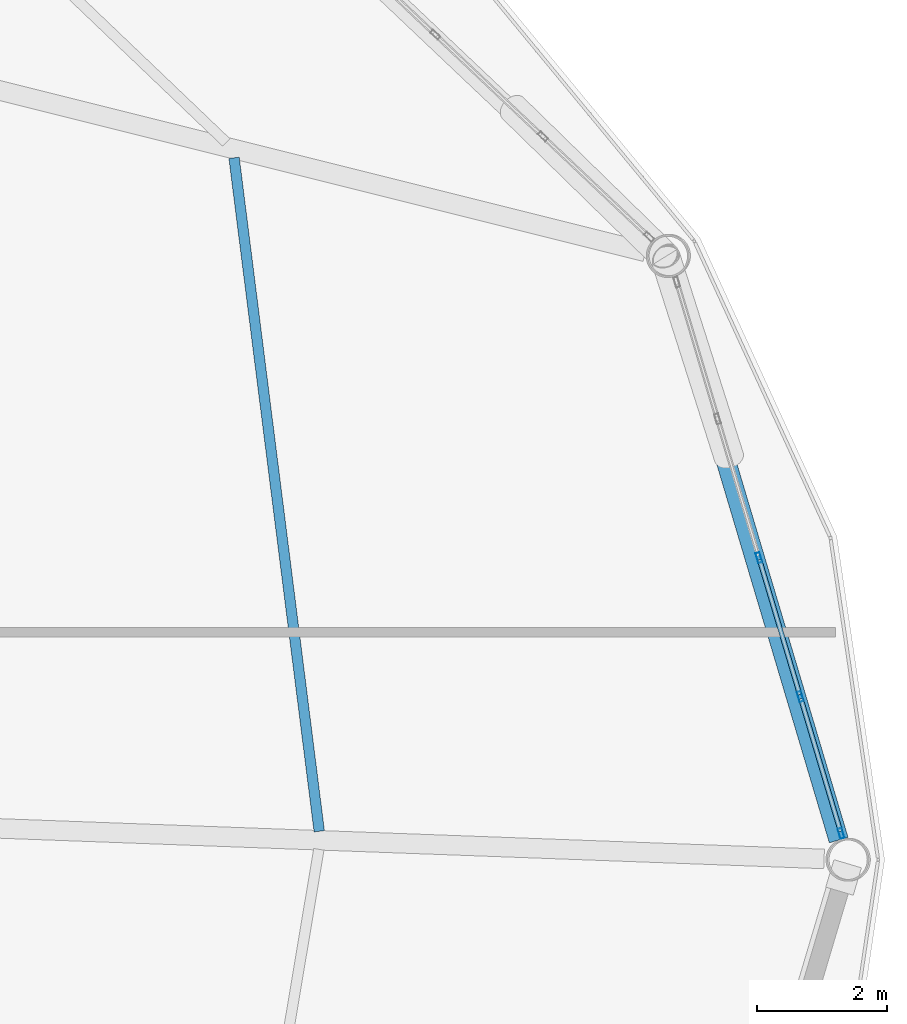
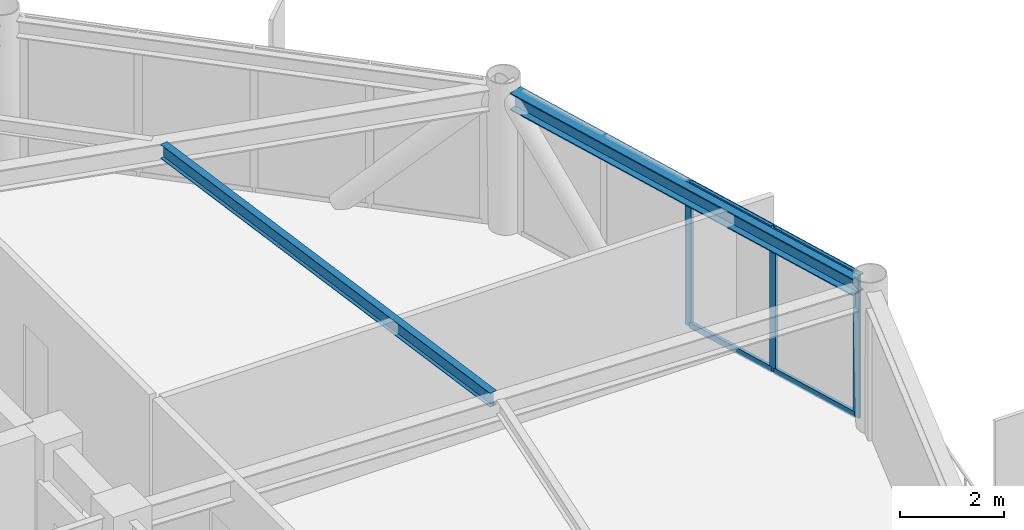
# One storey, part 13 of 25: 7 members, 2 beams, 1 element without a shape of its own.
"""IFC4 building model written with IfcOpenShell, lengths in metres."""

import ifcopenshell
import ifcopenshell.guid

model = None  # the IFC model being written
_history = None  # IfcOwnerHistory: only IFC2X3 demands one
_inside = {}  # id of a spatial element -> (the spatial element, [elements in it])
_under = {}  # id of a project, library or spatial element -> (it, [spatial elements below it])
_declared = {}  # id of a project -> (the project, [libraries it declares])
_typed = {}  # id of a type object -> (the type object, [elements of that type])
_made_of = {}  # id of a material, layer set ... -> (it, [elements and type objects made of it])


def new_model(schema):
    """Start an empty IFC model of exactly this schema.

    Asked for "IFC4X3", IfcOpenShell would pick the latest addendum, in which some entities
    have other attributes; the version numbers below select the first issue.
    IFC2X3 requires an IfcOwnerHistory on every rooted entity: one is made here for all.
    """
    global model, _history
    if schema == "IFC4X3":
        model = ifcopenshell.file(schema_version=(4, 3, 0, 0))
    else:
        model = ifcopenshell.file(schema=schema)
    _inside.clear()
    _under.clear()
    _declared.clear()
    _typed.clear()
    _made_of.clear()
    _history = None
    if model.schema == "IFC2X3":
        org = make("IfcOrganization", Name="unknown")
        user = make(
            "IfcPersonAndOrganization",
            ThePerson=make("IfcPerson", FamilyName="unknown"),
            TheOrganization=org,
        )
        app = make(
            "IfcApplication",
            ApplicationDeveloper=org,
            Version="unknown",
            ApplicationFullName="unknown",
            ApplicationIdentifier="unknown",
        )
        _history = make(
            "IfcOwnerHistory",
            OwningUser=user,
            OwningApplication=app,
            ChangeAction="ADDED",
            CreationDate=0,
        )
    return model


def make(cls, **values):
    """One entity of the class cls with the attributes given. An attribute that is None is left unset."""
    return model.create_entity(
        cls, **{name: value for name, value in values.items() if value is not None}
    )


def rooted(cls, **values):
    """An entity with a GlobalId (a new one), such as an element, a storey or a relation."""
    return make(cls, GlobalId=ifcopenshell.guid.new(), OwnerHistory=_history, **values)


def si_unit(unit_type, name, prefix=None):
    """IfcSIUnit, for example si_unit("LENGTHUNIT", "METRE", prefix="MILLI")."""
    return make("IfcSIUnit", UnitType=unit_type, Prefix=prefix, Name=name)


def assignment(units):
    """IfcUnitAssignment: the units of a project."""
    return None if units is None else make("IfcUnitAssignment", Units=units)


def point(xyz):
    """IfcCartesianPoint."""
    return None if xyz is None else make("IfcCartesianPoint", Coordinates=xyz)


def direction(xyz):
    """IfcDirection."""
    return None if xyz is None else make("IfcDirection", DirectionRatios=xyz)


def frame(location, z_axis=None, x_axis=None):
    """IfcAxis2Placement3D, a coordinate frame: its origin and axes. An axis left out is left unset."""
    return make(
        "IfcAxis2Placement3D",
        Location=point(location),
        Axis=direction(z_axis),
        RefDirection=direction(x_axis),
    )


def frame_2d(location, x_axis=None):
    """IfcAxis2Placement2D, a coordinate frame in the plane: its origin and x axis."""
    return make(
        "IfcAxis2Placement2D", Location=point(location), RefDirection=direction(x_axis)
    )


def origin():
    """The frame at (0, 0, 0) with its axes left unset."""
    return frame((0.0, 0.0, 0.0))


def origin_2d():
    """The frame at (0, 0) in the plane with its x axis left unset."""
    return frame_2d((0.0, 0.0))


def place(relative_to, where):
    """IfcLocalPlacement: puts the frame where relative to a parent placement (None: the world)."""
    return make(
        "IfcLocalPlacement", PlacementRelTo=relative_to, RelativePlacement=where
    )


def context(
    kind, dimensions, precision=None, world=None, true_north=None, identifier=None
):
    """IfcGeometricRepresentationContext, for example the 3D "Model" context."""
    return make(
        "IfcGeometricRepresentationContext",
        ContextIdentifier=identifier,
        ContextType=kind,
        CoordinateSpaceDimension=dimensions,
        Precision=precision,
        WorldCoordinateSystem=world,
        TrueNorth=true_north,
    )


def subcontext(parent, identifier, kind, view, scale=None):
    """IfcGeometricRepresentationSubContext, for example "Body" below "Model"."""
    return make(
        "IfcGeometricRepresentationSubContext",
        ContextIdentifier=identifier,
        ContextType=kind,
        ParentContext=parent,
        TargetScale=scale,
        TargetView=view,
    )


def project(units=None, contexts=None):
    """IfcProject with its units and contexts."""
    return rooted(
        "IfcProject",
        Name="project",
        RepresentationContexts=contexts,
        UnitsInContext=assignment(units),
    )


def spatial(cls, under=None, at=None, **own):
    """A site, building, storey or space (cls), placed at a placement, below another one or the project."""
    s = rooted(cls, ObjectPlacement=at, **own)
    if under is not None:
        _under.setdefault(under.id(), (under, []))[1].append(s)
    return s


def profile(cls, at=None, kind="AREA", **sizes):
    """A parametric profile (cls). Its sizes go by their IFC names, for example OverallWidth=200.0."""
    return make(cls, ProfileType=kind, Position=at, **sizes)


def hollow_rectangle(**sizes):
    """IfcRectangleHollowProfileDef."""
    return profile("IfcRectangleHollowProfileDef", **sizes)


def i_section(**sizes):
    """IfcIShapeProfileDef."""
    return profile("IfcIShapeProfileDef", **sizes)


def extrude(swept, where, along, depth):
    """IfcExtrudedAreaSolid: the profile swept, set in the frame where, extruded along a direction by depth."""
    return make(
        "IfcExtrudedAreaSolid",
        SweptArea=swept,
        Position=where,
        ExtrudedDirection=direction(along),
        Depth=depth,
    )


def shape(context_of_items, identifier, shape_type, items):
    """IfcShapeRepresentation: the items that make up one representation, for example the "Body"."""
    return make(
        "IfcShapeRepresentation",
        ContextOfItems=context_of_items,
        RepresentationIdentifier=identifier,
        RepresentationType=shape_type,
        Items=items,
    )


def material(Name=None, Category=None):
    """IfcMaterial."""
    return make("IfcMaterial", Name=Name, Category=Category)


def layer(
    of_material, thickness, ventilated=None, Name=None, Category=None, Priority=None
):
    """IfcMaterialLayer: one layer of a wall or slab, of a material (None: an air gap)."""
    return make(
        "IfcMaterialLayer",
        Material=of_material,
        LayerThickness=thickness,
        IsVentilated=ventilated,
        Name=Name,
        Category=Category,
        Priority=Priority,
    )


def layer_set(layers, Name=None):
    """IfcMaterialLayerSet."""
    return make("IfcMaterialLayerSet", MaterialLayers=layers, LayerSetName=Name)


def material_profile(
    of_material, cross_section, Name=None, Category=None, Priority=None
):
    """IfcMaterialProfile: a cross section and its material."""
    return make(
        "IfcMaterialProfile",
        Name=Name,
        Material=of_material,
        Profile=cross_section,
        Priority=Priority,
        Category=Category,
    )


def profile_set(profiles, Name=None, composite=None):
    """IfcMaterialProfileSet."""
    return make(
        "IfcMaterialProfileSet",
        Name=Name,
        MaterialProfiles=profiles,
        CompositeProfile=composite,
    )


def made_of(thing, what):
    """Note that an element or type object is made of a material, layer set ...; save() writes the relation."""
    if what is not None:
        _made_of.setdefault(what.id(), (what, []))[1].append(thing)
    return thing


def type_object(cls, material=None, **own):
    """A type object (cls), such as IfcWallType, which elements share."""
    return made_of(rooted(cls, **own), material)


def element(
    cls,
    number,
    at=None,
    inside=None,
    cuts=None,
    type_object=None,
    material=None,
    context=None,
    identifier="Body",
    shape_type=None,
    held_by="IfcProductDefinitionShape",
    body=None,
    shapes=None,
    **own,
):
    """One element of the class cls, such as IfcWall. Its Tag is "e" and its number.

    at: its placement. inside: the storey or other place that contains it. cuts: it is an
    opening in that element (IfcRelVoidsElement). A single representation is given by context,
    identifier, shape_type and body (its items); several are given by shapes. held_by: the class
    of the entity that holds the representations. save() writes the other relations.
    """
    e = rooted(cls, Tag="e%d" % number, ObjectPlacement=at, **own)
    if body is not None:
        shapes = [shape(context, identifier, shape_type, body)]
    if shapes is not None:
        e.Representation = make(held_by, Representations=shapes)
    if inside is not None:
        _inside.setdefault(inside.id(), (inside, []))[1].append(e)
    if cuts is not None:
        rooted(
            "IfcRelVoidsElement", RelatingBuildingElement=cuts, RelatedOpeningElement=e
        )
    if type_object is not None:
        _typed.setdefault(type_object.id(), (type_object, []))[1].append(e)
    return made_of(e, material)


def aggregate(whole, parts):
    """IfcRelAggregates: a whole, such as a stair, and the parts it consists of."""
    return rooted("IfcRelAggregates", RelatingObject=whole, RelatedObjects=parts)


def save(model, path):
    """Write the relations noted so far, then the file.

    IfcRelAggregates (storeys below a building ...), IfcRelContainedInSpatialStructure (elements
    in a storey), IfcRelDefinesByType, IfcRelAssociatesMaterial and IfcRelDeclares: one each for
    every whole, place, type object, material and project.
    """
    for whole, parts in _under.values():
        aggregate(whole, parts)
    for where, things in _inside.values():
        rooted(
            "IfcRelContainedInSpatialStructure",
            RelatedElements=things,
            RelatingStructure=where,
        )
    for kind, things in _typed.values():
        rooted("IfcRelDefinesByType", RelatedObjects=things, RelatingType=kind)
    for what, things in _made_of.values():
        rooted("IfcRelAssociatesMaterial", RelatedObjects=things, RelatingMaterial=what)
    for by, libraries in _declared.values():
        rooted("IfcRelDeclares", RelatingContext=by, RelatedDefinitions=libraries)
    model.write(path)


model = new_model("IFC4")

# Units and contexts
model_context = context("Model", 3, precision=1e-05, world=origin(), true_north=direction((0.0, 1.0)))
body_context = subcontext(model_context, "Body", "Model", "MODEL_VIEW")
ifc_project = project(units=[si_unit("LENGTHUNIT", "METRE"), si_unit("AREAUNIT", "SQUARE_METRE"), si_unit("VOLUMEUNIT", "CUBIC_METRE"), si_unit("PLANEANGLEUNIT", "RADIAN"), si_unit("MASSUNIT", "GRAM", prefix="KILO")], contexts=[model_context])

# Site, building, storey
site_placement = place(None, origin())
site = spatial("IfcSite", under=ifc_project, at=site_placement, CompositionType="ELEMENT")
building_placement = place(site_placement, origin())
building = spatial("IfcBuilding", under=site, at=building_placement, Name="Varnakorn Sky Granary", CompositionType="ELEMENT")
storey_placement = place(building_placement, frame((0.0, 0.0, 178.800048828125)))
storey = spatial("IfcBuildingStorey", under=building, at=storey_placement, Name="L44", CompositionType="ELEMENT", Elevation=178.800048828125)

# Beams
ifc_material_1 = material(Name="Steel S355JR", Category="steel")
ifc_material_profile_1 = material_profile(ifc_material_1, i_section(OverallWidth=0.159912109375, OverallDepth=0.330078125, WebThickness=0.007568359375, FlangeThickness=0.011474609375, at=origin_2d()), Name="IPE 330")
ifc_profile_set_1 = profile_set([ifc_material_profile_1], Name="Steel S355JR")
beam_type_1 = type_object("IfcBeamType", Name="BM-SEC-Z4", PredefinedType="BEAM", material=ifc_profile_set_1)
beam_1_placement = place(storey_placement, frame((16.48486328125, 0.437255859375, 3.195068359375), z_axis=(-0.12547911195, 0.992096261692, 0.0), x_axis=(-0.992096261692, -0.12547911195, 0.0)))
element("IfcBeam", 1, at=beam_1_placement, inside=storey, type_object=beam_type_1, Name="Secondary Floor Chord Beam MSB01 L44", PredefinedType="BEAM", context=body_context, shape_type="SweptSolid", body=[
    extrude(i_section(OverallWidth=0.159912109375, OverallDepth=0.330078125, WebThickness=0.007568359375, FlangeThickness=0.011474609375, at=origin_2d()), origin(), (0.0, 0.0, 1.0), 10.4423828125),
])
ifc_material_profile_2 = material_profile(ifc_material_1, i_section(OverallWidth=0.300048828125, OverallDepth=0.39990234375, WebThickness=0.013427734375, FlangeThickness=0.02392578125, at=origin_2d()), Name="HE 400 B")
ifc_profile_set_2 = profile_set([ifc_material_profile_2], Name="Steel S355JR")
beam_type_2 = type_object("IfcBeamType", Name="BM-SPD-Z4", PredefinedType="SPANDREL", material=ifc_profile_set_2)
beam_2_placement = place(storey_placement, frame((24.47509765625, 0.302001953125, 3.159912109375), z_axis=(-0.28508622157, 0.958501875987, 0.0), x_axis=(-0.958501875987, -0.28508622157, 0.0)))
element("IfcBeam", 2, at=beam_2_placement, inside=storey, type_object=beam_type_2, Name="Perimeter Spandrel Ring Beam RB01 L44", PredefinedType="SPANDREL", context=body_context, shape_type="SweptSolid", body=[
    extrude(i_section(OverallWidth=0.300048828125, OverallDepth=0.39990234375, WebThickness=0.013427734375, FlangeThickness=0.02392578125, at=origin_2d()), origin(), (0.0, 0.0, 1.0), 9.044921875),
])

# Curtain wall, members
ifc_material_2 = material(Name="Anodised Bronze Aluminium Alloy 6063-T6", Category="aluminium")
ifc_layer = layer(ifc_material_2, 0.169921875, Name="Anodised Bronze Aluminium Alloy 6063-T6")
ifc_layer_set = layer_set([ifc_layer], Name="Anodised Bronze Aluminium Alloy 6063-T6")
curtain_wall_type = type_object("IfcCurtainWallType", Name="CW-LAB-1", PredefinedType="USERDEFINED", material=ifc_layer_set)
curtain_wall_placement = place(storey_placement, origin())
curtain_wall = element("IfcCurtainWall", 3, at=curtain_wall_placement, inside=storey, type_object=curtain_wall_type, Name="Unitised Curtain Wall CW5 CW-L44-B01", ObjectType="CURTAIN WALL", PredefinedType="USERDEFINED")
ifc_material_profile_3 = material_profile(ifc_material_2, hollow_rectangle(XDim=0.06494140625, YDim=0.159912109375, WallThickness=0.00341796875, at=origin_2d()), Name="ALU MULL 65x160")
ifc_profile_set_3 = profile_set([ifc_material_profile_3], Name="Anodised Bronze Aluminium Alloy 6063-T6")
member_type_1 = type_object("IfcMemberType", Name="CW-LAB-1-MULL", PredefinedType="MULLION", material=ifc_profile_set_3)
member_1_placement = place(storey_placement, frame((23.248291015625, 4.645263671875, 0.0), z_axis=(0.0, 0.0, 1.0), x_axis=(0.958388556979, 0.285466940034, 0.0)))
member_1 = element("IfcMember", 4, at=member_1_placement, type_object=member_type_1, Name="CW5 mullion 3", PredefinedType="MULLION", context=body_context, shape_type="SweptSolid", body=[
    extrude(hollow_rectangle(XDim=0.06494140625, YDim=0.159912109375, WallThickness=0.00341796875, at=origin_2d()), origin(), (0.0, 0.0, 1.0), 3.35986328125),
])
member_2_placement = place(storey_placement, frame((23.884521484375, 2.509521484375, 0.0), z_axis=(0.0, 0.0, 1.0), x_axis=(0.958388556979, 0.285466940034, 0.0)))
member_2 = element("IfcMember", 5, at=member_2_placement, type_object=member_type_1, Name="CW5 mullion 4", PredefinedType="MULLION", context=body_context, shape_type="SweptSolid", body=[
    extrude(hollow_rectangle(XDim=0.06494140625, YDim=0.159912109375, WallThickness=0.00341796875, at=origin_2d()), origin(), (0.0, 0.0, 1.0), 3.35986328125),
])
member_3_placement = place(storey_placement, frame((24.511474609375, 0.405029296875, 0.0), z_axis=(0.0, 0.0, 1.0), x_axis=(0.958388556979, 0.285466940034, 0.0)))
member_3 = element("IfcMember", 6, at=member_3_placement, type_object=member_type_1, Name="CW5 mullion 5", PredefinedType="MULLION", context=body_context, shape_type="SweptSolid", body=[
    extrude(hollow_rectangle(XDim=0.06494140625, YDim=0.159912109375, WallThickness=0.00341796875, at=origin_2d()), origin(), (0.0, 0.0, 1.0), 3.35986328125),
])
ifc_material_profile_4 = material_profile(ifc_material_2, hollow_rectangle(XDim=0.070068359375, YDim=0.139892578125, WallThickness=0.00341796875, at=origin_2d()), Name="ALU TRAN 70x140")
ifc_profile_set_4 = profile_set([ifc_material_profile_4], Name="Anodised Bronze Aluminium Alloy 6063-T6")
member_type_2 = type_object("IfcMemberType", Name="CW-LAB-1-TRAN", PredefinedType="USERDEFINED", material=ifc_profile_set_4)
member_4_placement = place(storey_placement, frame((23.257568359375, 4.614013671875, 0.034912109375), z_axis=(0.285525107178, -0.958371229311, 0.0), x_axis=(0.958371229311, 0.285525107178, 0.0)))
member_4 = element("IfcMember", 7, at=member_4_placement, type_object=member_type_2, Name="CW5 transom 3.1", ObjectType="TRANSOM", PredefinedType="USERDEFINED", context=body_context, shape_type="SweptSolid", body=[
    extrude(hollow_rectangle(XDim=0.070068359375, YDim=0.139892578125, WallThickness=0.00341796875, at=origin_2d()), origin(), (0.0, 0.0, 1.0), 2.163330078125),
])
member_5_placement = place(storey_placement, frame((23.257568359375, 4.614013671875, 3.324951171875), z_axis=(0.285525107178, -0.958371229311, 0.0), x_axis=(0.958371229311, 0.285525107178, 0.0)))
member_5 = element("IfcMember", 8, at=member_5_placement, type_object=member_type_2, Name="CW5 transom 3.2", ObjectType="TRANSOM", PredefinedType="USERDEFINED", context=body_context, shape_type="SweptSolid", body=[
    extrude(hollow_rectangle(XDim=0.070068359375, YDim=0.139892578125, WallThickness=0.00341796875, at=origin_2d()), origin(), (0.0, 0.0, 1.0), 2.163330078125),
])
member_6_placement = place(storey_placement, frame((23.893798828125, 2.478271484375, 0.034912109375), z_axis=(0.285507932363, -0.958376345993, 0.0), x_axis=(0.958376345993, 0.285507932363, 0.0)))
member_6 = element("IfcMember", 9, at=member_6_placement, type_object=member_type_2, Name="CW5 transom 4.1", ObjectType="TRANSOM", PredefinedType="USERDEFINED", context=body_context, shape_type="SweptSolid", body=[
    extrude(hollow_rectangle(XDim=0.070068359375, YDim=0.139892578125, WallThickness=0.00341796875, at=origin_2d()), origin(), (0.0, 0.0, 1.0), 2.130859375),
])
member_7_placement = place(storey_placement, frame((23.893798828125, 2.478271484375, 3.324951171875), z_axis=(0.285507932363, -0.958376345993, 0.0), x_axis=(0.958376345993, 0.285507932363, 0.0)))
member_7 = element("IfcMember", 10, at=member_7_placement, type_object=member_type_2, Name="CW5 transom 4.2", ObjectType="TRANSOM", PredefinedType="USERDEFINED", context=body_context, shape_type="SweptSolid", body=[
    extrude(hollow_rectangle(XDim=0.070068359375, YDim=0.139892578125, WallThickness=0.00341796875, at=origin_2d()), origin(), (0.0, 0.0, 1.0), 2.130859375),
])
aggregate(curtain_wall, [member_1, member_2, member_3, member_4, member_5, member_6, member_7])

save(model, "model.ifc")
